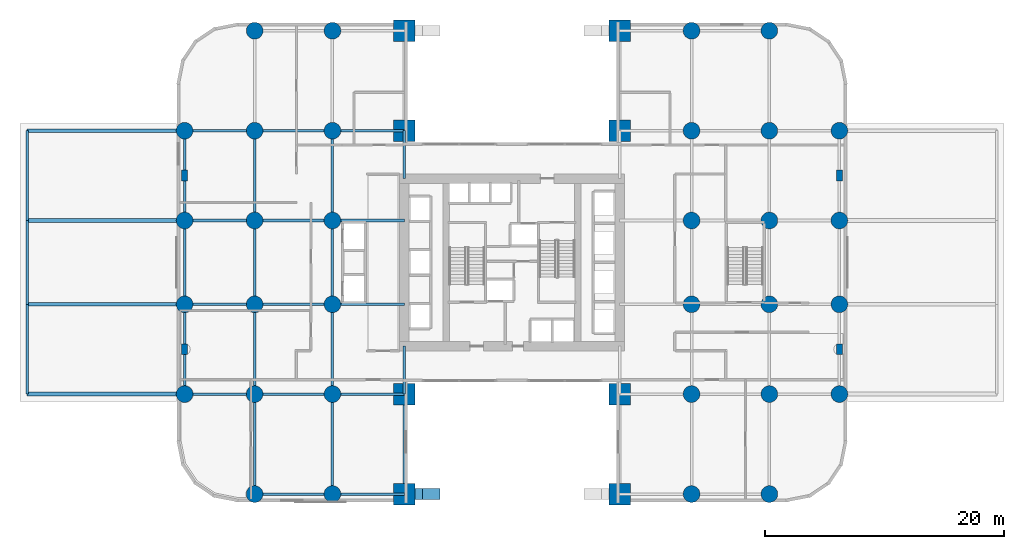
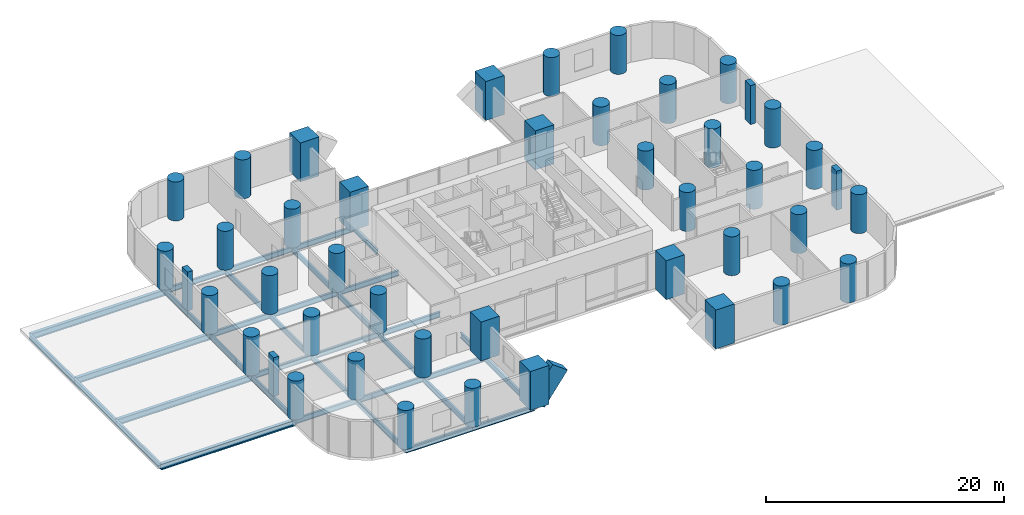
# One storey, part 1 of 8: 44 columns, 37 beams, 1 member.
"""IFC4 building model written with IfcOpenShell, lengths in metres."""

from ifc_helpers import new_model, si_unit, direction, frame, origin, origin_2d, place, context, subcontext, project, spatial, rectangle, circle, i_section, extrude, material, material_profile, profile_set, type_object, element, save


model = new_model("IFC4")

# Units and contexts
model_context = context("Model", 3, precision=1e-05, world=origin(), true_north=direction((0.0, 1.0)))
body_context = subcontext(model_context, "Body", "Model", "MODEL_VIEW")
ifc_project = project(units=[si_unit("LENGTHUNIT", "METRE"), si_unit("AREAUNIT", "SQUARE_METRE"), si_unit("VOLUMEUNIT", "CUBIC_METRE"), si_unit("PLANEANGLEUNIT", "RADIAN"), si_unit("MASSUNIT", "GRAM", prefix="KILO")], contexts=[model_context])

# Site, building, storey
site_placement = place(None, origin())
site = spatial("IfcSite", under=ifc_project, at=site_placement, CompositionType="ELEMENT")
building_placement = place(site_placement, origin())
building = spatial("IfcBuilding", under=site, at=building_placement, Name="Veldorim Arch Residences", CompositionType="ELEMENT")
storey_placement = place(building_placement, frame((0.0, 0.0, 4.0)))
storey = spatial("IfcBuildingStorey", under=building, at=storey_placement, Name="L01", CompositionType="ELEMENT", Elevation=4.0)

# Columns
ifc_material_1 = material(Name="Concrete C60/75", Category="concrete")
ifc_material_profile_1 = material_profile(ifc_material_1, circle(Radius=0.699951171875, at=origin_2d()), Name="RC_CIRC_1400")
ifc_profile_set_1 = profile_set([ifc_material_profile_1], Name="Concrete C60/75")
column_type_1 = type_object("IfcColumnType", Name="Structural Column RC_CIRC_1400", PredefinedType="COLUMN", material=ifc_profile_set_1)
for number, where, z_axis, x_axis, name in (
    (1, (4.64990234375, 13.0, 0.0), (0.0, 0.0, 1.0), (1.0, 0.0, 0.0), "L01 podium column (4.65, 13.00)"),
    (2, (4.64990234375, 20.5, 0.0), (0.0, 0.0, 1.0), (1.0, 0.0, 0.0), "L01 podium column (4.65, 20.50)"),
    (3, (4.64990234375, 27.5, 0.0), (0.0, 0.0, 1.0), (1.0, 0.0, 0.0), "L01 podium column (4.65, 27.50)"),
    (4, (4.64990234375, 35.0, 0.0), (0.0, 0.0, 1.0), (1.0, 0.0, 0.0), "L01 podium column (4.65, 35.00)"),
    (5, (10.5, 4.64990234375, 0.0), (0.0, 0.0, 1.0), (1.0, 0.0, 0.0), "L01 podium column (10.50, 4.65)"),
    (6, (10.5, 13.0, 0.0), (0.0, 0.0, 1.0), (1.0, 0.0, 0.0), "L01 podium column (10.50, 13.00)"),
    (7, (10.5, 20.5, 0.0), (0.0, 0.0, 1.0), (1.0, 0.0, 0.0), "L01 podium column (10.50, 20.50)"),
    (8, (10.5, 27.5, 0.0), (0.0, 0.0, 1.0), (1.0, 0.0, 0.0), "L01 podium column (10.50, 27.50)"),
    (9, (10.5, 35.0, 0.0), (0.0, 0.0, 1.0), (1.0, 0.0, 0.0), "L01 podium column (10.50, 35.00)"),
    (10, (10.5, 43.35009765625, 0.0), (0.0, 0.0, 1.0), (1.0, 0.0, 0.0), "L01 podium column (10.50, 43.35)"),
    (11, (17.0, 4.64990234375, 0.0), (0.0, 0.0, 1.0), (1.0, 0.0, 0.0), "L01 podium column (17.00, 4.65)"),
    (12, (17.0, 13.0, 0.0), (0.0, 0.0, 1.0), (1.0, 0.0, 0.0), "L01 podium column (17.00, 13.00)"),
    (13, (17.0, 20.5, 0.0), (0.0, 0.0, 1.0), (1.0, 0.0, 0.0), "L01 podium column (17.00, 20.50)"),
    (14, (17.0, 27.5, 0.0), (0.0, 0.0, 1.0), (1.0, 0.0, 0.0), "L01 podium column (17.00, 27.50)"),
    (15, (17.0, 35.0, 0.0), (0.0, 0.0, 1.0), (1.0, 0.0, 0.0), "L01 podium column (17.00, 35.00)"),
    (16, (17.0, 43.35009765625, 0.0), (0.0, 0.0, 1.0), (1.0, 0.0, 0.0), "L01 podium column (17.00, 43.35)"),
    (17, (47.0, 4.64990234375, 0.0), (0.0, 0.0, 1.0), (1.0, 0.0, 0.0), "L01 podium column (47.00, 4.65)"),
    (18, (47.0, 13.0, 0.0), (0.0, 0.0, 1.0), (1.0, 0.0, 0.0), "L01 podium column (47.00, 13.00)"),
    (19, (47.0, 20.5, 0.0), (0.0, 0.0, 1.0), (1.0, 0.0, 0.0), "L01 podium column (47.00, 20.50)"),
    (20, (47.0, 27.5, 0.0), (0.0, 0.0, 1.0), (1.0, 0.0, 0.0), "L01 podium column (47.00, 27.50)"),
    (21, (47.0, 35.0, 0.0), (0.0, 0.0, 1.0), (1.0, 0.0, 0.0), "L01 podium column (47.00, 35.00)"),
    (22, (47.0, 43.35009765625, 0.0), (0.0, 0.0, 1.0), (1.0, 0.0, 0.0), "L01 podium column (47.00, 43.35)"),
    (23, (53.5, 4.64990234375, 0.0), (0.0, 0.0, 1.0), (1.0, 0.0, 0.0), "L01 podium column (53.50, 4.65)"),
    (24, (53.5, 13.0, 0.0), (0.0, 0.0, 1.0), (1.0, 0.0, 0.0), "L01 podium column (53.50, 13.00)"),
    (25, (53.5, 20.5, 0.0), (0.0, 0.0, 1.0), (1.0, 0.0, 0.0), "L01 podium column (53.50, 20.50)"),
    (26, (53.5, 27.5, 0.0), (0.0, 0.0, 1.0), (1.0, 0.0, 0.0), "L01 podium column (53.50, 27.50)"),
    (27, (53.5, 35.0, 0.0), (0.0, 0.0, 1.0), (1.0, 0.0, 0.0), "L01 podium column (53.50, 35.00)"),
    (28, (53.5, 43.35009765625, 0.0), (0.0, 0.0, 1.0), (1.0, 0.0, 0.0), "L01 podium column (53.50, 43.35)"),
    (29, (59.35009765625, 13.0, 0.0), (0.0, 0.0, 1.0), (1.0, 0.0, 0.0), "L01 podium column (59.35, 13.00)"),
    (30, (59.35009765625, 20.5, 0.0), (0.0, 0.0, 1.0), (1.0, 0.0, 0.0), "L01 podium column (59.35, 20.50)"),
    (31, (59.35009765625, 27.5, 0.0), (0.0, 0.0, 1.0), (1.0, 0.0, 0.0), "L01 podium column (59.35, 27.50)"),
    (32, (59.35009765625, 35.0, 0.0), (0.0, 0.0, 1.0), (1.0, 0.0, 0.0), "L01 podium column (59.35, 35.00)"),
):
    element("IfcColumn", number, at=place(storey_placement, frame(where, z_axis=z_axis, x_axis=x_axis)), inside=storey, type_object=column_type_1, Name=name, PredefinedType="COLUMN", context=body_context, shape_type="SweptSolid", body=[
        extrude(circle(Radius=0.699951171875, at=origin_2d()), origin(), (0.0, 0.0, 1.0), 4.0),
    ])
ifc_material_2 = material(Name="Concrete C60/75", Category="concrete")
ifc_material_profile_2 = material_profile(ifc_material_2, rectangle(XDim=1.800048828125, YDim=1.800048828125, at=origin_2d()), Name="RC_RECT_1800x1800")
ifc_profile_set_2 = profile_set([ifc_material_profile_2], Name="Concrete C60/75")
column_type_2 = type_object("IfcColumnType", Name="Structural Column RC_RECT_1800x1800", PredefinedType="COLUMN", material=ifc_profile_set_2)
for number, where, z_axis, x_axis, name in (
    (33, (23.0, 4.64990234375, 0.0), (0.0, 0.0, 1.0), (1.0, 0.0, 0.0), "L01 arch mega-pier (23.00, 4.65)"),
    (34, (23.0, 13.0, 0.0), (0.0, 0.0, 1.0), (1.0, 0.0, 0.0), "L01 arch mega-pier (23.00, 13.00)"),
    (35, (23.0, 35.0, 0.0), (0.0, 0.0, 1.0), (1.0, 0.0, 0.0), "L01 arch mega-pier (23.00, 35.00)"),
    (36, (23.0, 43.35009765625, 0.0), (0.0, 0.0, 1.0), (1.0, 0.0, 0.0), "L01 arch mega-pier (23.00, 43.35)"),
    (37, (41.0, 4.64990234375, 0.0), (0.0, 0.0, 1.0), (1.0, 0.0, 0.0), "L01 arch mega-pier (41.00, 4.65)"),
    (38, (41.0, 13.0, 0.0), (0.0, 0.0, 1.0), (1.0, 0.0, 0.0), "L01 arch mega-pier (41.00, 13.00)"),
    (39, (41.0, 35.0, 0.0), (0.0, 0.0, 1.0), (1.0, 0.0, 0.0), "L01 arch mega-pier (41.00, 35.00)"),
    (40, (41.0, 43.35009765625, 0.0), (0.0, 0.0, 1.0), (1.0, 0.0, 0.0), "L01 arch mega-pier (41.00, 43.35)"),
):
    element("IfcColumn", number, at=place(storey_placement, frame(where, z_axis=z_axis, x_axis=x_axis)), inside=storey, type_object=column_type_2, Name=name, PredefinedType="COLUMN", context=body_context, shape_type="SweptSolid", body=[
        extrude(rectangle(XDim=1.800048828125, YDim=1.800048828125, at=origin_2d()), origin(), (0.0, 0.0, 1.0), 4.0),
    ])
ifc_material_3 = material(Name="Concrete C60/75", Category="concrete")
ifc_material_profile_3 = material_profile(ifc_material_3, rectangle(XDim=0.5, YDim=0.89990234375, at=origin_2d()), Name="RC_RECT_500x900")
ifc_profile_set_3 = profile_set([ifc_material_profile_3], Name="Concrete C60/75")
column_type_3 = type_object("IfcColumnType", Name="Structural Pilaster RC_RECT_500x900", PredefinedType="PILASTER", material=ifc_profile_set_3)
for number, where, z_axis, x_axis, name in (
    (41, (4.64990234375, 16.75, 0.0), (0.0, 0.0, 1.0), (1.0, 0.0, 0.0), "L01 facade structural pilaster (4.65, 16.75)"),
    (42, (4.64990234375, 31.25, 0.0), (0.0, 0.0, 1.0), (1.0, 0.0, 0.0), "L01 facade structural pilaster (4.65, 31.25)"),
    (43, (59.35009765625, 16.75, 0.0), (0.0, 0.0, 1.0), (1.0, 0.0, 0.0), "L01 facade structural pilaster (59.35, 16.75)"),
    (44, (59.35009765625, 31.25, 0.0), (0.0, 0.0, 1.0), (1.0, 0.0, 0.0), "L01 facade structural pilaster (59.35, 31.25)"),
):
    element("IfcColumn", number, at=place(storey_placement, frame(where, z_axis=z_axis, x_axis=x_axis)), inside=storey, type_object=column_type_3, Name=name, PredefinedType="PILASTER", context=body_context, shape_type="SweptSolid", body=[
        extrude(rectangle(XDim=0.5, YDim=0.89990234375, at=origin_2d()), origin(), (0.0, 0.0, 1.0), 4.0),
    ])

# Member
ifc_material_4 = material(Name="Concrete C60/75", Category="concrete")
ifc_material_profile_4 = material_profile(ifc_material_4, rectangle(XDim=0.89990234375, YDim=1.800048828125, at=origin_2d()), Name="RC_RECT_900x1800")
ifc_profile_set_4 = profile_set([ifc_material_profile_4], Name="Concrete C60/75")
member_type = type_object("IfcMemberType", Name="Giant Podium Arch Parabolic Rib 900x1800", PredefinedType="STRUT", material=ifc_profile_set_4)
member_placement = place(storey_placement, frame((23.0, 4.64990234375, 0.0), z_axis=(0.592076433961, 0.0, 0.805881812891), x_axis=(0.0, 1.0, 0.0)))
element("IfcMember", 45, at=member_placement, inside=storey, type_object=member_type, Name="Giant Podium Arch S parabolic rib segment 1", PredefinedType="STRUT", context=body_context, shape_type="SweptSolid", body=[
    extrude(rectangle(XDim=0.89990234375, YDim=1.800048828125, at=origin_2d()), origin(), (0.0, 0.0, 1.0), 3.80029296875),
])

# Beams
ifc_material_5 = material(Name="Steel S355", Category="steel")
ifc_material_profile_5 = material_profile(ifc_material_5, i_section(OverallWidth=0.2099609375, OverallDepth=0.53662109375, WebThickness=0.0107421875, FlangeThickness=0.017333984375, at=origin_2d()), Name="UB533x210x101")
ifc_profile_set_5 = profile_set([ifc_material_profile_5], Name="Steel S355")
beam_type_1 = type_object("IfcBeamType", Name="Structural Steel Beam UB533x210x101", PredefinedType="BEAM", material=ifc_profile_set_5)
beam_1_placement = place(storey_placement, frame((-8.5, 13.0, -0.58837890625), z_axis=(0.0, 1.0, 0.0), x_axis=(-1.0, 0.0, 0.0)))
element("IfcBeam", 46, at=beam_1_placement, inside=storey, type_object=beam_type_1, Name="L01 north-south floor beam (X=-8.5, 13.0-20.5)", PredefinedType="BEAM", context=body_context, shape_type="SweptSolid", body=[
    extrude(i_section(OverallWidth=0.2099609375, OverallDepth=0.53662109375, WebThickness=0.0107421875, FlangeThickness=0.017333984375, at=origin_2d()), origin(), (0.0, 0.0, 1.0), 7.5),
])
beam_2_placement = place(storey_placement, frame((-8.5, 20.5, -0.58837890625), z_axis=(0.0, 1.0, 0.0), x_axis=(-1.0, 0.0, 0.0)))
element("IfcBeam", 47, at=beam_2_placement, inside=storey, type_object=beam_type_1, Name="L01 north-south floor beam (X=-8.5, 20.5-27.5)", PredefinedType="BEAM", context=body_context, shape_type="SweptSolid", body=[
    extrude(i_section(OverallWidth=0.2099609375, OverallDepth=0.53662109375, WebThickness=0.0107421875, FlangeThickness=0.017333984375, at=origin_2d()), origin(), (0.0, 0.0, 1.0), 7.0),
])
beam_3_placement = place(storey_placement, frame((-8.5, 27.5, -0.58837890625), z_axis=(0.0, 1.0, 0.0), x_axis=(-1.0, 0.0, 0.0)))
element("IfcBeam", 48, at=beam_3_placement, inside=storey, type_object=beam_type_1, Name="L01 north-south floor beam (X=-8.5, 27.5-35.0)", PredefinedType="BEAM", context=body_context, shape_type="SweptSolid", body=[
    extrude(i_section(OverallWidth=0.2099609375, OverallDepth=0.53662109375, WebThickness=0.0107421875, FlangeThickness=0.017333984375, at=origin_2d()), origin(), (0.0, 0.0, 1.0), 7.5),
])
for number, where, z_axis, x_axis, name in (
    (49, (4.64990234375, 13.0, -0.54833984375), (0.0, 1.0, 0.0), (-1.0, 0.0, 0.0), "L01 north-south floor beam (X=4.7, 13.0-16.8)"),
    (50, (4.64990234375, 16.75, -0.54833984375), (0.0, 1.0, 0.0), (-1.0, 0.0, 0.0), "L01 north-south floor beam (X=4.7, 16.8-20.5)"),
):
    element("IfcBeam", number, at=place(storey_placement, frame(where, z_axis=z_axis, x_axis=x_axis)), inside=storey, type_object=beam_type_1, Name=name, PredefinedType="BEAM", context=body_context, shape_type="SweptSolid", body=[
        extrude(i_section(OverallWidth=0.2099609375, OverallDepth=0.53662109375, WebThickness=0.0107421875, FlangeThickness=0.017333984375, at=origin_2d()), origin(), (0.0, 0.0, 1.0), 3.75),
    ])
beam_4_placement = place(storey_placement, frame((4.64990234375, 20.5, -0.54833984375), z_axis=(0.0, 1.0, 0.0), x_axis=(-1.0, 0.0, 0.0)))
element("IfcBeam", 51, at=beam_4_placement, inside=storey, type_object=beam_type_1, Name="L01 north-south floor beam (X=4.7, 20.5-27.5)", PredefinedType="BEAM", context=body_context, shape_type="SweptSolid", body=[
    extrude(i_section(OverallWidth=0.2099609375, OverallDepth=0.53662109375, WebThickness=0.0107421875, FlangeThickness=0.017333984375, at=origin_2d()), origin(), (0.0, 0.0, 1.0), 7.0),
])
for number, where, z_axis, x_axis, name in (
    (52, (4.64990234375, 27.5, -0.54833984375), (0.0, 1.0, 0.0), (-1.0, 0.0, 0.0), "L01 north-south floor beam (X=4.7, 27.5-31.2)"),
    (53, (4.64990234375, 31.25, -0.54833984375), (0.0, 1.0, 0.0), (-1.0, 0.0, 0.0), "L01 north-south floor beam (X=4.7, 31.2-35.0)"),
):
    element("IfcBeam", number, at=place(storey_placement, frame(where, z_axis=z_axis, x_axis=x_axis)), inside=storey, type_object=beam_type_1, Name=name, PredefinedType="BEAM", context=body_context, shape_type="SweptSolid", body=[
        extrude(i_section(OverallWidth=0.2099609375, OverallDepth=0.53662109375, WebThickness=0.0107421875, FlangeThickness=0.017333984375, at=origin_2d()), origin(), (0.0, 0.0, 1.0), 3.75),
    ])
beam_5_placement = place(storey_placement, frame((10.5, 4.64990234375, -0.54833984375), z_axis=(0.0, 1.0, 0.0), x_axis=(-1.0, 0.0, 0.0)))
element("IfcBeam", 54, at=beam_5_placement, inside=storey, type_object=beam_type_1, Name="L01 north-south floor beam (X=10.5, 4.7-13.0)", PredefinedType="BEAM", context=body_context, shape_type="SweptSolid", body=[
    extrude(i_section(OverallWidth=0.2099609375, OverallDepth=0.53662109375, WebThickness=0.0107421875, FlangeThickness=0.017333984375, at=origin_2d()), origin(), (0.0, 0.0, 1.0), 8.35009765625),
])
beam_6_placement = place(storey_placement, frame((10.5, 13.0, -0.54833984375), z_axis=(0.0, 1.0, 0.0), x_axis=(-1.0, 0.0, 0.0)))
element("IfcBeam", 55, at=beam_6_placement, inside=storey, type_object=beam_type_1, Name="L01 north-south floor beam (X=10.5, 13.0-20.5)", PredefinedType="BEAM", context=body_context, shape_type="SweptSolid", body=[
    extrude(i_section(OverallWidth=0.2099609375, OverallDepth=0.53662109375, WebThickness=0.0107421875, FlangeThickness=0.017333984375, at=origin_2d()), origin(), (0.0, 0.0, 1.0), 7.5),
])
beam_7_placement = place(storey_placement, frame((10.5, 20.5, -0.54833984375), z_axis=(0.0, 1.0, 0.0), x_axis=(-1.0, 0.0, 0.0)))
element("IfcBeam", 56, at=beam_7_placement, inside=storey, type_object=beam_type_1, Name="L01 north-south floor beam (X=10.5, 20.5-27.5)", PredefinedType="BEAM", context=body_context, shape_type="SweptSolid", body=[
    extrude(i_section(OverallWidth=0.2099609375, OverallDepth=0.53662109375, WebThickness=0.0107421875, FlangeThickness=0.017333984375, at=origin_2d()), origin(), (0.0, 0.0, 1.0), 7.0),
])
beam_8_placement = place(storey_placement, frame((10.5, 27.5, -0.54833984375), z_axis=(0.0, 1.0, 0.0), x_axis=(-1.0, 0.0, 0.0)))
element("IfcBeam", 57, at=beam_8_placement, inside=storey, type_object=beam_type_1, Name="L01 north-south floor beam (X=10.5, 27.5-35.0)", PredefinedType="BEAM", context=body_context, shape_type="SweptSolid", body=[
    extrude(i_section(OverallWidth=0.2099609375, OverallDepth=0.53662109375, WebThickness=0.0107421875, FlangeThickness=0.017333984375, at=origin_2d()), origin(), (0.0, 0.0, 1.0), 7.5),
])
beam_9_placement = place(storey_placement, frame((17.0, 4.64990234375, -0.54833984375), z_axis=(0.0, 1.0, 0.0), x_axis=(-1.0, 0.0, 0.0)))
element("IfcBeam", 58, at=beam_9_placement, inside=storey, type_object=beam_type_1, Name="L01 north-south floor beam (X=17.0, 4.7-13.0)", PredefinedType="BEAM", context=body_context, shape_type="SweptSolid", body=[
    extrude(i_section(OverallWidth=0.2099609375, OverallDepth=0.53662109375, WebThickness=0.0107421875, FlangeThickness=0.017333984375, at=origin_2d()), origin(), (0.0, 0.0, 1.0), 8.35009765625),
])
beam_10_placement = place(storey_placement, frame((17.0, 13.0, -0.54833984375), z_axis=(0.0, 1.0, 0.0), x_axis=(-1.0, 0.0, 0.0)))
element("IfcBeam", 59, at=beam_10_placement, inside=storey, type_object=beam_type_1, Name="L01 north-south floor beam (X=17.0, 13.0-20.5)", PredefinedType="BEAM", context=body_context, shape_type="SweptSolid", body=[
    extrude(i_section(OverallWidth=0.2099609375, OverallDepth=0.53662109375, WebThickness=0.0107421875, FlangeThickness=0.017333984375, at=origin_2d()), origin(), (0.0, 0.0, 1.0), 7.5),
])
beam_11_placement = place(storey_placement, frame((17.0, 20.5, -0.54833984375), z_axis=(0.0, 1.0, 0.0), x_axis=(-1.0, 0.0, 0.0)))
element("IfcBeam", 60, at=beam_11_placement, inside=storey, type_object=beam_type_1, Name="L01 north-south floor beam (X=17.0, 20.5-27.5)", PredefinedType="BEAM", context=body_context, shape_type="SweptSolid", body=[
    extrude(i_section(OverallWidth=0.2099609375, OverallDepth=0.53662109375, WebThickness=0.0107421875, FlangeThickness=0.017333984375, at=origin_2d()), origin(), (0.0, 0.0, 1.0), 7.0),
])
beam_12_placement = place(storey_placement, frame((17.0, 27.5, -0.54833984375), z_axis=(0.0, 1.0, 0.0), x_axis=(-1.0, 0.0, 0.0)))
element("IfcBeam", 61, at=beam_12_placement, inside=storey, type_object=beam_type_1, Name="L01 north-south floor beam (X=17.0, 27.5-35.0)", PredefinedType="BEAM", context=body_context, shape_type="SweptSolid", body=[
    extrude(i_section(OverallWidth=0.2099609375, OverallDepth=0.53662109375, WebThickness=0.0107421875, FlangeThickness=0.017333984375, at=origin_2d()), origin(), (0.0, 0.0, 1.0), 7.5),
])
beam_13_placement = place(storey_placement, frame((23.0, 4.64990234375, -0.54833984375), z_axis=(0.0, 1.0, 0.0), x_axis=(-1.0, 0.0, 0.0)))
element("IfcBeam", 62, at=beam_13_placement, inside=storey, type_object=beam_type_1, Name="L01 north-south floor beam (X=23.0, 4.7-13.0)", PredefinedType="BEAM", context=body_context, shape_type="SweptSolid", body=[
    extrude(i_section(OverallWidth=0.2099609375, OverallDepth=0.53662109375, WebThickness=0.0107421875, FlangeThickness=0.017333984375, at=origin_2d()), origin(), (0.0, 0.0, 1.0), 8.35009765625),
])
for number, where, z_axis, x_axis, name in (
    (63, (23.0, 13.0, -0.54833984375), (0.0, 1.0, 0.0), (-1.0, 0.0, 0.0), "L01 north-south floor beam (X=23.0, 13.0-17.0)"),
    (64, (23.0, 31.0, -0.54833984375), (0.0, 1.0, 0.0), (-1.0, 0.0, 0.0), "L01 north-south floor beam (X=23.0, 31.0-35.0)"),
):
    element("IfcBeam", number, at=place(storey_placement, frame(where, z_axis=z_axis, x_axis=x_axis)), inside=storey, type_object=beam_type_1, Name=name, PredefinedType="BEAM", context=body_context, shape_type="SweptSolid", body=[
        extrude(i_section(OverallWidth=0.2099609375, OverallDepth=0.53662109375, WebThickness=0.0107421875, FlangeThickness=0.017333984375, at=origin_2d()), origin(), (0.0, 0.0, 1.0), 4.0),
    ])
ifc_material_6 = material(Name="Steel S355", Category="steel")
ifc_material_profile_6 = material_profile(ifc_material_6, i_section(OverallWidth=0.2119140625, OverallDepth=0.54443359375, WebThickness=0.0126953125, FlangeThickness=0.021240234375, at=origin_2d()), Name="UB533x210x122")
ifc_profile_set_6 = profile_set([ifc_material_profile_6], Name="Steel S355")
beam_type_2 = type_object("IfcBeamType", Name="Structural Steel Beam UB533x210x122", PredefinedType="BEAM", material=ifc_profile_set_6)
beam_14_placement = place(storey_placement, frame((10.5, 4.64990234375, -0.55224609375), z_axis=(1.0, 0.0, 0.0), x_axis=(0.0, 1.0, 0.0)))
element("IfcBeam", 65, at=beam_14_placement, inside=storey, type_object=beam_type_2, Name="L01 east-west floor beam (10.5-17.0, Y=4.7)", PredefinedType="BEAM", context=body_context, shape_type="SweptSolid", body=[
    extrude(i_section(OverallWidth=0.2119140625, OverallDepth=0.54443359375, WebThickness=0.0126953125, FlangeThickness=0.021240234375, at=origin_2d()), origin(), (0.0, 0.0, 1.0), 6.5),
])
beam_15_placement = place(storey_placement, frame((17.0, 4.64990234375, -0.55224609375), z_axis=(1.0, 0.0, 0.0), x_axis=(0.0, 1.0, 0.0)))
element("IfcBeam", 66, at=beam_15_placement, inside=storey, type_object=beam_type_2, Name="L01 east-west floor beam (17.0-23.0, Y=4.7)", PredefinedType="BEAM", context=body_context, shape_type="SweptSolid", body=[
    extrude(i_section(OverallWidth=0.2119140625, OverallDepth=0.54443359375, WebThickness=0.0126953125, FlangeThickness=0.021240234375, at=origin_2d()), origin(), (0.0, 0.0, 1.0), 6.0),
])
beam_16_placement = place(storey_placement, frame((4.64990234375, 13.0, -0.55224609375), z_axis=(1.0, 0.0, 0.0), x_axis=(0.0, 1.0, 0.0)))
element("IfcBeam", 67, at=beam_16_placement, inside=storey, type_object=beam_type_2, Name="L01 east-west floor beam (4.7-10.5, Y=13.0)", PredefinedType="BEAM", context=body_context, shape_type="SweptSolid", body=[
    extrude(i_section(OverallWidth=0.2119140625, OverallDepth=0.54443359375, WebThickness=0.0126953125, FlangeThickness=0.021240234375, at=origin_2d()), origin(), (0.0, 0.0, 1.0), 5.85009765625),
])
beam_17_placement = place(storey_placement, frame((10.5, 13.0, -0.55224609375), z_axis=(1.0, 0.0, 0.0), x_axis=(0.0, 1.0, 0.0)))
element("IfcBeam", 68, at=beam_17_placement, inside=storey, type_object=beam_type_2, Name="L01 east-west floor beam (10.5-17.0, Y=13.0)", PredefinedType="BEAM", context=body_context, shape_type="SweptSolid", body=[
    extrude(i_section(OverallWidth=0.2119140625, OverallDepth=0.54443359375, WebThickness=0.0126953125, FlangeThickness=0.021240234375, at=origin_2d()), origin(), (0.0, 0.0, 1.0), 6.5),
])
beam_18_placement = place(storey_placement, frame((17.0, 13.0, -0.55224609375), z_axis=(1.0, 0.0, 0.0), x_axis=(0.0, 1.0, 0.0)))
element("IfcBeam", 69, at=beam_18_placement, inside=storey, type_object=beam_type_2, Name="L01 east-west floor beam (17.0-23.0, Y=13.0)", PredefinedType="BEAM", context=body_context, shape_type="SweptSolid", body=[
    extrude(i_section(OverallWidth=0.2119140625, OverallDepth=0.54443359375, WebThickness=0.0126953125, FlangeThickness=0.021240234375, at=origin_2d()), origin(), (0.0, 0.0, 1.0), 6.0),
])
beam_19_placement = place(storey_placement, frame((4.64990234375, 20.5, -0.55224609375), z_axis=(1.0, 0.0, 0.0), x_axis=(0.0, 1.0, 0.0)))
element("IfcBeam", 70, at=beam_19_placement, inside=storey, type_object=beam_type_2, Name="L01 east-west floor beam (4.7-10.5, Y=20.5)", PredefinedType="BEAM", context=body_context, shape_type="SweptSolid", body=[
    extrude(i_section(OverallWidth=0.2119140625, OverallDepth=0.54443359375, WebThickness=0.0126953125, FlangeThickness=0.021240234375, at=origin_2d()), origin(), (0.0, 0.0, 1.0), 5.85009765625),
])
beam_20_placement = place(storey_placement, frame((10.5, 20.5, -0.55224609375), z_axis=(1.0, 0.0, 0.0), x_axis=(0.0, 1.0, 0.0)))
element("IfcBeam", 71, at=beam_20_placement, inside=storey, type_object=beam_type_2, Name="L01 east-west floor beam (10.5-17.0, Y=20.5)", PredefinedType="BEAM", context=body_context, shape_type="SweptSolid", body=[
    extrude(i_section(OverallWidth=0.2119140625, OverallDepth=0.54443359375, WebThickness=0.0126953125, FlangeThickness=0.021240234375, at=origin_2d()), origin(), (0.0, 0.0, 1.0), 6.5),
])
beam_21_placement = place(storey_placement, frame((17.0, 20.5, -0.55224609375), z_axis=(1.0, 0.0, 0.0), x_axis=(0.0, 1.0, 0.0)))
element("IfcBeam", 72, at=beam_21_placement, inside=storey, type_object=beam_type_2, Name="L01 east-west floor beam (17.0-23.0, Y=20.5)", PredefinedType="BEAM", context=body_context, shape_type="SweptSolid", body=[
    extrude(i_section(OverallWidth=0.2119140625, OverallDepth=0.54443359375, WebThickness=0.0126953125, FlangeThickness=0.021240234375, at=origin_2d()), origin(), (0.0, 0.0, 1.0), 6.0),
])
beam_22_placement = place(storey_placement, frame((4.64990234375, 27.5, -0.55224609375), z_axis=(1.0, 0.0, 0.0), x_axis=(0.0, 1.0, 0.0)))
element("IfcBeam", 73, at=beam_22_placement, inside=storey, type_object=beam_type_2, Name="L01 east-west floor beam (4.7-10.5, Y=27.5)", PredefinedType="BEAM", context=body_context, shape_type="SweptSolid", body=[
    extrude(i_section(OverallWidth=0.2119140625, OverallDepth=0.54443359375, WebThickness=0.0126953125, FlangeThickness=0.021240234375, at=origin_2d()), origin(), (0.0, 0.0, 1.0), 5.85009765625),
])
beam_23_placement = place(storey_placement, frame((10.5, 27.5, -0.55224609375), z_axis=(1.0, 0.0, 0.0), x_axis=(0.0, 1.0, 0.0)))
element("IfcBeam", 74, at=beam_23_placement, inside=storey, type_object=beam_type_2, Name="L01 east-west floor beam (10.5-17.0, Y=27.5)", PredefinedType="BEAM", context=body_context, shape_type="SweptSolid", body=[
    extrude(i_section(OverallWidth=0.2119140625, OverallDepth=0.54443359375, WebThickness=0.0126953125, FlangeThickness=0.021240234375, at=origin_2d()), origin(), (0.0, 0.0, 1.0), 6.5),
])
beam_24_placement = place(storey_placement, frame((17.0, 27.5, -0.55224609375), z_axis=(1.0, 0.0, 0.0), x_axis=(0.0, 1.0, 0.0)))
element("IfcBeam", 75, at=beam_24_placement, inside=storey, type_object=beam_type_2, Name="L01 east-west floor beam (17.0-23.0, Y=27.5)", PredefinedType="BEAM", context=body_context, shape_type="SweptSolid", body=[
    extrude(i_section(OverallWidth=0.2119140625, OverallDepth=0.54443359375, WebThickness=0.0126953125, FlangeThickness=0.021240234375, at=origin_2d()), origin(), (0.0, 0.0, 1.0), 6.0),
])
beam_25_placement = place(storey_placement, frame((4.64990234375, 35.0, -0.55224609375), z_axis=(1.0, 0.0, 0.0), x_axis=(0.0, 1.0, 0.0)))
element("IfcBeam", 76, at=beam_25_placement, inside=storey, type_object=beam_type_2, Name="L01 east-west floor beam (4.7-10.5, Y=35.0)", PredefinedType="BEAM", context=body_context, shape_type="SweptSolid", body=[
    extrude(i_section(OverallWidth=0.2119140625, OverallDepth=0.54443359375, WebThickness=0.0126953125, FlangeThickness=0.021240234375, at=origin_2d()), origin(), (0.0, 0.0, 1.0), 5.85009765625),
])
beam_26_placement = place(storey_placement, frame((10.5, 35.0, -0.55224609375), z_axis=(1.0, 0.0, 0.0), x_axis=(0.0, 1.0, 0.0)))
element("IfcBeam", 77, at=beam_26_placement, inside=storey, type_object=beam_type_2, Name="L01 east-west floor beam (10.5-17.0, Y=35.0)", PredefinedType="BEAM", context=body_context, shape_type="SweptSolid", body=[
    extrude(i_section(OverallWidth=0.2119140625, OverallDepth=0.54443359375, WebThickness=0.0126953125, FlangeThickness=0.021240234375, at=origin_2d()), origin(), (0.0, 0.0, 1.0), 6.5),
])
beam_27_placement = place(storey_placement, frame((17.0, 35.0, -0.55224609375), z_axis=(1.0, 0.0, 0.0), x_axis=(0.0, 1.0, 0.0)))
element("IfcBeam", 78, at=beam_27_placement, inside=storey, type_object=beam_type_2, Name="L01 east-west floor beam (17.0-23.0, Y=35.0)", PredefinedType="BEAM", context=body_context, shape_type="SweptSolid", body=[
    extrude(i_section(OverallWidth=0.2119140625, OverallDepth=0.54443359375, WebThickness=0.0126953125, FlangeThickness=0.021240234375, at=origin_2d()), origin(), (0.0, 0.0, 1.0), 6.0),
])
ifc_material_7 = material(Name="Steel S355", Category="steel")
ifc_material_profile_7 = material_profile(ifc_material_7, i_section(OverallWidth=0.30712890625, OverallDepth=0.6201171875, WebThickness=0.01416015625, FlangeThickness=0.023681640625, at=origin_2d()), Name="UB610x305x179")
ifc_profile_set_7 = profile_set([ifc_material_profile_7], Name="Steel S355")
beam_type_3 = type_object("IfcBeamType", Name="Structural Steel Beam UB610x305x179", PredefinedType="BEAM", material=ifc_profile_set_7)
for number, where, z_axis, x_axis, name in (
    (79, (-8.5, 13.0, -0.630126953125), (1.0, 0.0, 0.0), (0.0, 1.0, 0.0), "L01 east-west floor beam (-8.5-4.7, Y=13.0)"),
    (80, (-8.5, 20.5, -0.630126953125), (1.0, 0.0, 0.0), (0.0, 1.0, 0.0), "L01 east-west floor beam (-8.5-4.7, Y=20.5)"),
    (81, (-8.5, 27.5, -0.630126953125), (1.0, 0.0, 0.0), (0.0, 1.0, 0.0), "L01 east-west floor beam (-8.5-4.7, Y=27.5)"),
    (82, (-8.5, 35.0, -0.630126953125), (1.0, 0.0, 0.0), (0.0, 1.0, 0.0), "L01 east-west floor beam (-8.5-4.7, Y=35.0)"),
):
    element("IfcBeam", number, at=place(storey_placement, frame(where, z_axis=z_axis, x_axis=x_axis)), inside=storey, type_object=beam_type_3, Name=name, PredefinedType="BEAM", context=body_context, shape_type="SweptSolid", body=[
        extrude(i_section(OverallWidth=0.30712890625, OverallDepth=0.6201171875, WebThickness=0.01416015625, FlangeThickness=0.023681640625, at=origin_2d()), origin(), (0.0, 0.0, 1.0), 13.14990234375),
    ])

save(model, "model.ifc")
